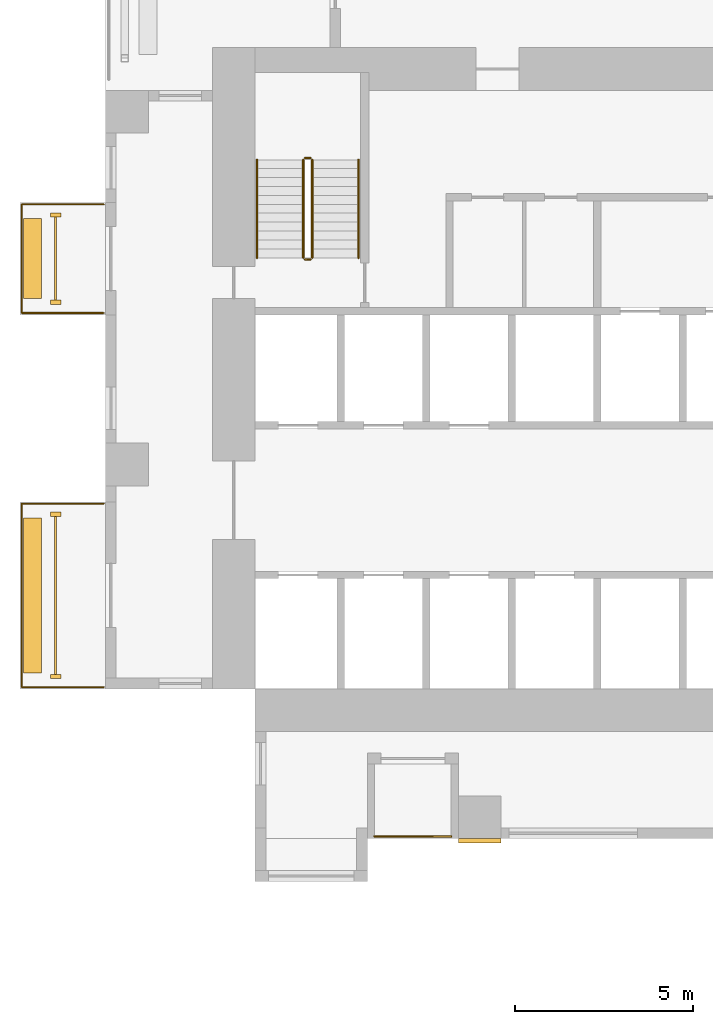
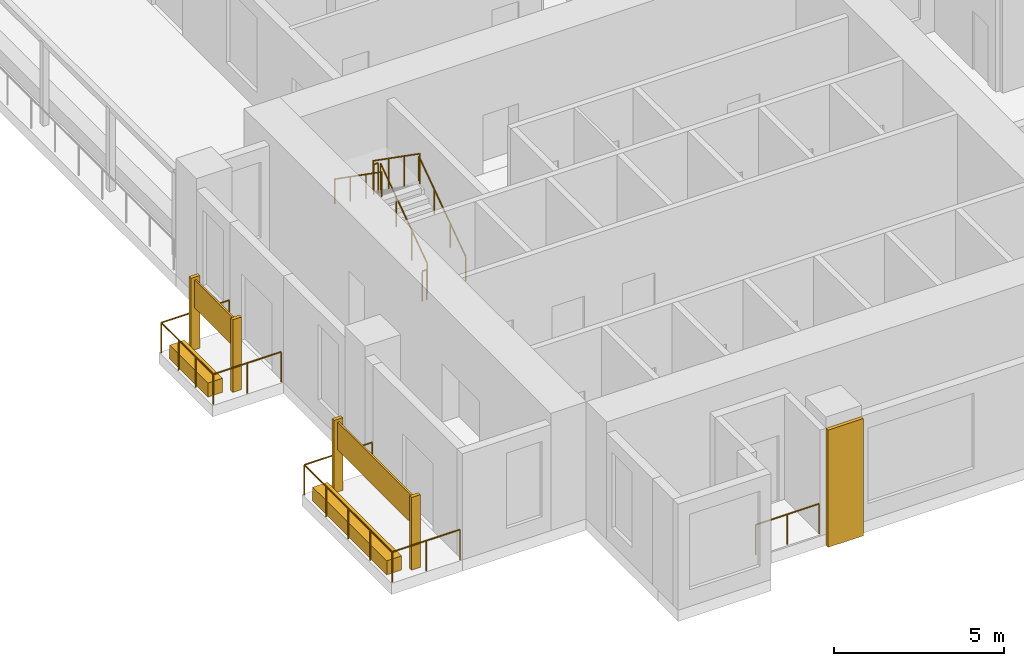
# One storey, part 14 of 18: 9 coverings, 9 railings.
"""IFC4 building model written with IfcOpenShell, lengths in metres."""

from ifc_helpers import new_model, si_unit, direction, frame, origin, origin_2d, place, context, subcontext, project, spatial, rectangle, circle, extrude, source, transform, mapped, material, type_object, element, save


model = new_model("IFC4")

# Units and contexts
model_context = context("Model", 3, precision=1e-05, world=origin(), true_north=direction((0.0, 1.0)))
body_context = subcontext(model_context, "Body", "Model", "MODEL_VIEW")
ifc_project = project(units=[si_unit("LENGTHUNIT", "METRE"), si_unit("AREAUNIT", "SQUARE_METRE"), si_unit("VOLUMEUNIT", "CUBIC_METRE"), si_unit("PLANEANGLEUNIT", "RADIAN"), si_unit("MASSUNIT", "GRAM", prefix="KILO")], contexts=[model_context])

# Site, building, storey
site_placement = place(None, origin())
site = spatial("IfcSite", under=ifc_project, at=site_placement, CompositionType="ELEMENT")
building_placement = place(site_placement, origin())
building = spatial("IfcBuilding", under=site, at=building_placement, Name="Aurelian Terraces", CompositionType="ELEMENT")
storey_placement = place(building_placement, frame((0.0, 0.0, 99.3)))
storey = spatial("IfcBuildingStorey", under=building, at=storey_placement, Name="L21", CompositionType="ELEMENT", Elevation=99.3)

# Railing
ifc_material_1 = material(Name="Anodised aluminium", Category="aluminium")
railing_type_1 = type_object("IfcRailingType", Name="GUARD-1100", PredefinedType="GUARDRAIL", material=ifc_material_1)
railing_1_placement = place(storey_placement, frame((-0.05, 9.4, 0.0)))
element("IfcRailing", 1, at=railing_1_placement, inside=storey, type_object=railing_type_1, Name="Balcony guard L21 F24.42", PredefinedType="GUARDRAIL", context=body_context, shape_type="SweptSolid", body=[
    extrude(circle(Radius=0.024, at=origin_2d()), frame((0.0, 0.0, 1.076), z_axis=(-1.0, 0.0, 0.0), x_axis=(0.0, -1.0, 0.0)), (0.0, 0.0, 1.0), 2.3),
    extrude(circle(Radius=0.024, at=origin_2d()), frame((-2.3, 0.0, 1.076), z_axis=(0.0, -1.0, 0.0), x_axis=(1.0, 0.0, 0.0)), (0.0, 0.0, 1.0), 5.15),
    extrude(circle(Radius=0.024, at=origin_2d()), frame((-2.3, -5.15, 1.076), z_axis=(1.0, 0.0, 0.0), x_axis=(0.0, 1.0, 0.0)), (0.0, 0.0, 1.0), 2.3),
    extrude(circle(Radius=0.021, at=origin_2d()), origin(), (0.0, 0.0, 1.0), 1.052),
    extrude(circle(Radius=0.021, at=origin_2d()), frame((-1.15, 0.0, 0.0)), (0.0, 0.0, 1.0), 1.052),
    extrude(circle(Radius=0.021, at=origin_2d()), frame((-2.3, 0.0, 0.0)), (0.0, 0.0, 1.0), 1.052),
    extrude(circle(Radius=0.021, at=origin_2d()), frame((-2.3, -1.2875, 0.0)), (0.0, 0.0, 1.0), 1.052),
    extrude(circle(Radius=0.021, at=origin_2d()), frame((-2.3, -2.575, 0.0)), (0.0, 0.0, 1.0), 1.052),
    extrude(circle(Radius=0.021, at=origin_2d()), frame((-2.3, -3.8625, 0.0)), (0.0, 0.0, 1.0), 1.052),
    extrude(circle(Radius=0.021, at=origin_2d()), frame((-2.3, -5.15, 0.0)), (0.0, 0.0, 1.0), 1.052),
    extrude(circle(Radius=0.021, at=origin_2d()), frame((-1.15, -5.15, 0.0)), (0.0, 0.0, 1.0), 1.052),
    extrude(circle(Radius=0.021, at=origin_2d()), frame((0.0, -5.15, 0.0)), (0.0, 0.0, 1.0), 1.052),
])

# Coverings
ifc_material_2 = material(Name="Terracotta planter with planting soil", Category="masonry")
covering_type_1 = type_object("IfcCoveringType", Name="PLANTER-TROUGH", PredefinedType="USERDEFINED", material=ifc_material_2)
covering_1_placement = place(storey_placement, frame((-2.05, 6.825, 0.0), z_axis=(0.0, 0.0, 1.0), x_axis=(1.0, 0.0, 0.0)))
element("IfcCovering", 2, at=covering_1_placement, inside=storey, type_object=covering_type_1, Name="PLANTER L21 L21-F24-42", ObjectType="PLANTER", PredefinedType="USERDEFINED", context=body_context, shape_type="SweptSolid", body=[
    extrude(rectangle(XDim=0.5, YDim=4.35, at=origin_2d()), origin(), (0.0, 0.0, 1.0), 0.5),
])
ifc_material_3 = material(Name="Terracotta rainscreen cladding", Category="masonry")
covering_type_2 = type_object("IfcCoveringType", Name="SCREEN-TC", PredefinedType="CLADDING", material=ifc_material_3)
covering_2_placement = place(storey_placement, frame((-1.4, 6.825, 1.5), z_axis=(0.0, 0.0, 1.0), x_axis=(1.0, 0.0, 0.0)))
element("IfcCovering", 3, at=covering_2_placement, inside=storey, type_object=covering_type_2, Name="SCREEN L21 L21-F24-42", PredefinedType="CLADDING", context=body_context, shape_type="SweptSolid", body=[
    extrude(rectangle(XDim=0.06, YDim=4.43, at=origin_2d()), origin(), (0.0, 0.0, 1.0), 1.0),
])
ifc_material_4 = material(Name="Terracotta rainscreen cladding relief", Category="masonry")
covering_type_3 = type_object("IfcCoveringType", Name="FIN-TC", PredefinedType="CLADDING", material=ifc_material_4)
shared_shape_1 = source(origin(), body_context, "Body", "SweptSolid", [
    extrude(rectangle(XDim=0.3, YDim=0.12, at=origin_2d()), origin(), (0.0, 0.0, 1.0), 2.6),
])
for number, where, z_axis, x_axis, name in (
    (4, (-1.4, 17.5, 0.0), (0.0, 0.0, 1.0), (1.0, 0.0, 0.0), "FIN L21 L21-F24-40.1"),
    (5, (-1.4, 15.05, 0.0), (0.0, 0.0, 1.0), (1.0, 0.0, 0.0), "FIN L21 L21-F24-40.2"),
    (6, (-1.4, 9.1, 0.0), (0.0, 0.0, 1.0), (1.0, 0.0, 0.0), "FIN L21 L21-F24-42.1"),
    (7, (-1.4, 4.55, 0.0), (0.0, 0.0, 1.0), (1.0, 0.0, 0.0), "FIN L21 L21-F24-42.2"),
):
    element("IfcCovering", number, at=place(storey_placement, frame(where, z_axis=z_axis, x_axis=x_axis)), inside=storey, type_object=covering_type_3, Name=name, PredefinedType="CLADDING", context=body_context, shape_type="MappedRepresentation", body=[
        mapped(shared_shape_1, transform((0.0, 0.0, 0.0), scale=1.0)),
    ])
covering_type_4 = type_object("IfcCoveringType", Name="BAGUETTE-TC", PredefinedType="CLADDING", material=ifc_material_4)
shared_shape_2 = source(origin(), body_context, "Body", "SweptSolid", [
    extrude(rectangle(XDim=1.2, YDim=0.12, at=origin_2d()), origin(), (0.0, 0.0, 1.0), 4.2),
])
covering_3_placement = place(storey_placement, frame((10.5, -0.06, -0.4), z_axis=(0.0, 0.0, 1.0), x_axis=(1.0, 0.0, 0.0)))
element("IfcCovering", 8, at=covering_3_placement, inside=storey, type_object=covering_type_4, Name="BAGUETTE pier L21 1", PredefinedType="CLADDING", context=body_context, shape_type="MappedRepresentation", body=[
    mapped(shared_shape_2, transform((0.0, 0.0, 0.0), scale=1.0)),
])

# Railing
shared_shape_3 = source(origin(), body_context, "Body", "SweptSolid", [
    extrude(circle(Radius=0.024, at=origin_2d()), frame((0.0, 0.0, 1.076), z_axis=(1.0, 0.0, 0.0), x_axis=(0.0, 1.0, 0.0)), (0.0, 0.0, 1.0), 2.15),
    extrude(circle(Radius=0.021, at=origin_2d()), origin(), (0.0, 0.0, 1.0), 1.052),
    extrude(circle(Radius=0.021, at=origin_2d()), frame((1.075, 0.0, 0.0)), (0.0, 0.0, 1.0), 1.052),
    extrude(circle(Radius=0.021, at=origin_2d()), frame((2.15, 0.0, 0.0)), (0.0, 0.0, 1.0), 1.052),
])
railing_2_placement = place(storey_placement, frame((7.55, 0.06, 0.05)))
element("IfcRailing", 9, at=railing_2_placement, inside=storey, type_object=railing_type_1, Name="Loggia guard L21 F01.2", PredefinedType="GUARDRAIL", context=body_context, shape_type="MappedRepresentation", body=[
    mapped(shared_shape_3, transform((0.0, 0.0, 0.0), scale=1.0)),
])

# Coverings
shared_shape_4 = source(origin(), body_context, "Body", "SweptSolid", [
    extrude(rectangle(XDim=0.5, YDim=2.25, at=origin_2d()), origin(), (0.0, 0.0, 1.0), 0.5),
])
covering_4_placement = place(storey_placement, frame((-2.05, 16.275, 0.0), z_axis=(0.0, 0.0, 1.0), x_axis=(1.0, 0.0, 0.0)))
element("IfcCovering", 10, at=covering_4_placement, inside=storey, type_object=covering_type_1, Name="PLANTER L21 L21-F24-40", ObjectType="PLANTER", PredefinedType="USERDEFINED", context=body_context, shape_type="MappedRepresentation", body=[
    mapped(shared_shape_4, transform((0.0, 0.0, 0.0), scale=1.0)),
])
shared_shape_5 = source(origin(), body_context, "Body", "SweptSolid", [
    extrude(rectangle(XDim=0.06, YDim=2.33, at=origin_2d()), origin(), (0.0, 0.0, 1.0), 1.0),
])
covering_5_placement = place(storey_placement, frame((-1.4, 16.275, 1.5), z_axis=(0.0, 0.0, 1.0), x_axis=(1.0, 0.0, 0.0)))
element("IfcCovering", 11, at=covering_5_placement, inside=storey, type_object=covering_type_2, Name="SCREEN L21 L21-F24-40", PredefinedType="CLADDING", context=body_context, shape_type="MappedRepresentation", body=[
    mapped(shared_shape_5, transform((0.0, 0.0, 0.0), scale=1.0)),
])

# Railings
shared_shape_6 = source(origin(), body_context, "Body", "SweptSolid", [
    extrude(circle(Radius=0.024, at=origin_2d()), frame((0.0, 0.0, 1.076), z_axis=(-1.0, 0.0, 0.0), x_axis=(0.0, -1.0, 0.0)), (0.0, 0.0, 1.0), 2.3),
    extrude(circle(Radius=0.024, at=origin_2d()), frame((-2.3, 0.0, 1.076), z_axis=(0.0, -1.0, 0.0), x_axis=(1.0, 0.0, 0.0)), (0.0, 0.0, 1.0), 3.05),
    extrude(circle(Radius=0.024, at=origin_2d()), frame((-2.3, -3.05, 1.076), z_axis=(1.0, 0.0, 0.0), x_axis=(0.0, 1.0, 0.0)), (0.0, 0.0, 1.0), 2.3),
    extrude(circle(Radius=0.021, at=origin_2d()), origin(), (0.0, 0.0, 1.0), 1.052),
    extrude(circle(Radius=0.021, at=origin_2d()), frame((-1.15, 0.0, 0.0)), (0.0, 0.0, 1.0), 1.052),
    extrude(circle(Radius=0.021, at=origin_2d()), frame((-2.3, 0.0, 0.0)), (0.0, 0.0, 1.0), 1.052),
    extrude(circle(Radius=0.021, at=origin_2d()), frame((-2.3, -1.0167, 0.0)), (0.0, 0.0, 1.0), 1.052),
    extrude(circle(Radius=0.021, at=origin_2d()), frame((-2.3, -2.0333, 0.0)), (0.0, 0.0, 1.0), 1.052),
    extrude(circle(Radius=0.021, at=origin_2d()), frame((-2.3, -3.05, 0.0)), (0.0, 0.0, 1.0), 1.052),
    extrude(circle(Radius=0.021, at=origin_2d()), frame((-1.15, -3.05, 0.0)), (0.0, 0.0, 1.0), 1.052),
    extrude(circle(Radius=0.021, at=origin_2d()), frame((0.0, -3.05, 0.0)), (0.0, 0.0, 1.0), 1.052),
])
railing_3_placement = place(storey_placement, frame((-0.05, 17.8, 0.0)))
element("IfcRailing", 12, at=railing_3_placement, inside=storey, type_object=railing_type_1, Name="Balcony guard L21 F24.40", PredefinedType="GUARDRAIL", context=body_context, shape_type="MappedRepresentation", body=[
    mapped(shared_shape_6, transform((0.0, 0.0, 0.0), scale=1.0)),
])
ifc_material_5 = material(Name="Stainless steel", Category="steel")
railing_type_2 = type_object("IfcRailingType", Name="Stair guard 1100", PredefinedType="GUARDRAIL", material=ifc_material_5)
shared_shape_7 = source(origin(), body_context, "Body", "SweptSolid", [
    extrude(circle(Radius=0.024, at=origin_2d()), frame((0.0, 0.0, 1.076), z_axis=(-1.0, 0.0, 0.0), x_axis=(0.0, -1.0, 0.0)), (0.0, 0.0, 1.0), 0.15),
    extrude(circle(Radius=0.021, at=origin_2d()), origin(), (0.0, 0.0, 1.0), 1.052),
    extrude(circle(Radius=0.021, at=origin_2d()), frame((-0.15, 0.0, 0.0)), (0.0, 0.0, 1.0), 1.052),
])
for number, where, name in (
    (13, (5.75, 19.1, 2.1), "L21 S1 stair guard 2"),
    (14, (5.75, 16.25, 0.0), "L21 S1 stair guard 4"),
):
    element("IfcRailing", number, at=place(storey_placement, frame(where)), inside=storey, type_object=railing_type_2, Name=name, PredefinedType="GUARDRAIL", context=body_context, shape_type="MappedRepresentation", body=[
        mapped(shared_shape_7, transform((0.0, 0.0, 0.0), scale=1.0)),
    ])
shared_shape_8 = source(origin(), body_context, "Body", "SweptSolid", [
    extrude(circle(Radius=0.024, at=origin_2d()), frame((0.0, 0.0, 1.076), z_axis=(0.0, 0.819231920519, 0.573462344363), x_axis=(-1.0, 0.0, 0.0)), (0.0, 0.0, 1.0), 3.3568),
    extrude(circle(Radius=0.021, at=origin_2d()), origin(), (0.0, 0.0, 1.0), 1.052),
    extrude(circle(Radius=0.021, at=origin_2d()), frame((0.0, 0.9167, 0.6417)), (0.0, 0.0, 1.0), 1.052),
    extrude(circle(Radius=0.021, at=origin_2d()), frame((0.0, 1.8333, 1.2833)), (0.0, 0.0, 1.0), 1.052),
    extrude(circle(Radius=0.021, at=origin_2d()), frame((0.0, 2.75, 1.925)), (0.0, 0.0, 1.0), 1.052),
])
railing_4_placement = place(storey_placement, frame((5.8, 16.3, 0.175)))
element("IfcRailing", 15, at=railing_4_placement, inside=storey, type_object=railing_type_2, Name="L21 S1 stair guard 1", PredefinedType="GUARDRAIL", context=body_context, shape_type="MappedRepresentation", body=[
    mapped(shared_shape_8, transform((0.0, 0.0, 0.0), scale=1.0)),
])
shared_shape_9 = source(origin(), body_context, "Body", "SweptSolid", [
    extrude(circle(Radius=0.024, at=origin_2d()), frame((0.0, 0.0, 1.076), z_axis=(0.0, -0.819231920519, 0.573462344363), x_axis=(1.0, 0.0, 0.0)), (0.0, 0.0, 1.0), 3.3568),
    extrude(circle(Radius=0.021, at=origin_2d()), origin(), (0.0, 0.0, 1.0), 1.052),
    extrude(circle(Radius=0.021, at=origin_2d()), frame((0.0, -0.9167, 0.6417)), (0.0, 0.0, 1.0), 1.052),
    extrude(circle(Radius=0.021, at=origin_2d()), frame((0.0, -1.8333, 1.2833)), (0.0, 0.0, 1.0), 1.052),
    extrude(circle(Radius=0.021, at=origin_2d()), frame((0.0, -2.75, 1.925)), (0.0, 0.0, 1.0), 1.052),
])
railing_5_placement = place(storey_placement, frame((5.55, 19.05, 2.275)))
element("IfcRailing", 16, at=railing_5_placement, inside=storey, type_object=railing_type_2, Name="L21 S1 stair guard 3", PredefinedType="GUARDRAIL", context=body_context, shape_type="MappedRepresentation", body=[
    mapped(shared_shape_9, transform((0.0, 0.0, 0.0), scale=1.0)),
])
railing_type_3 = type_object("IfcRailingType", Name="Stair handrail", PredefinedType="HANDRAIL", material=ifc_material_5)
shared_shape_10 = source(origin(), body_context, "Body", "SweptSolid", [
    extrude(circle(Radius=0.024, at=origin_2d()), frame((0.0, 0.0, 0.876), z_axis=(0.0, 0.819231920519, 0.573462344363), x_axis=(-1.0, 0.0, 0.0)), (0.0, 0.0, 1.0), 3.3568),
    extrude(circle(Radius=0.021, at=origin_2d()), origin(), (0.0, 0.0, 1.0), 0.852),
    extrude(circle(Radius=0.021, at=origin_2d()), frame((0.0, 0.9167, 0.6417)), (0.0, 0.0, 1.0), 0.852),
    extrude(circle(Radius=0.021, at=origin_2d()), frame((0.0, 1.8333, 1.2833)), (0.0, 0.0, 1.0), 0.852),
    extrude(circle(Radius=0.021, at=origin_2d()), frame((0.0, 2.75, 1.925)), (0.0, 0.0, 1.0), 0.852),
])
railing_6_placement = place(storey_placement, frame((7.1, 16.3, 0.175)))
element("IfcRailing", 17, at=railing_6_placement, inside=storey, type_object=railing_type_3, Name="L21 S1 stair handrail 1", PredefinedType="HANDRAIL", context=body_context, shape_type="MappedRepresentation", body=[
    mapped(shared_shape_10, transform((0.0, 0.0, 0.0), scale=1.0)),
])
shared_shape_11 = source(origin(), body_context, "Body", "SweptSolid", [
    extrude(circle(Radius=0.024, at=origin_2d()), frame((0.0, 0.0, 0.876), z_axis=(0.0, -0.819231920519, 0.573462344363), x_axis=(1.0, 0.0, 0.0)), (0.0, 0.0, 1.0), 3.3568),
    extrude(circle(Radius=0.021, at=origin_2d()), origin(), (0.0, 0.0, 1.0), 0.852),
    extrude(circle(Radius=0.021, at=origin_2d()), frame((0.0, -0.9167, 0.6417)), (0.0, 0.0, 1.0), 0.852),
    extrude(circle(Radius=0.021, at=origin_2d()), frame((0.0, -1.8333, 1.2833)), (0.0, 0.0, 1.0), 0.852),
    extrude(circle(Radius=0.021, at=origin_2d()), frame((0.0, -2.75, 1.925)), (0.0, 0.0, 1.0), 0.852),
])
railing_7_placement = place(storey_placement, frame((4.25, 19.05, 2.275)))
element("IfcRailing", 18, at=railing_7_placement, inside=storey, type_object=railing_type_3, Name="L21 S1 stair handrail 2", PredefinedType="HANDRAIL", context=body_context, shape_type="MappedRepresentation", body=[
    mapped(shared_shape_11, transform((0.0, 0.0, 0.0), scale=1.0)),
])

save(model, "model.ifc")
